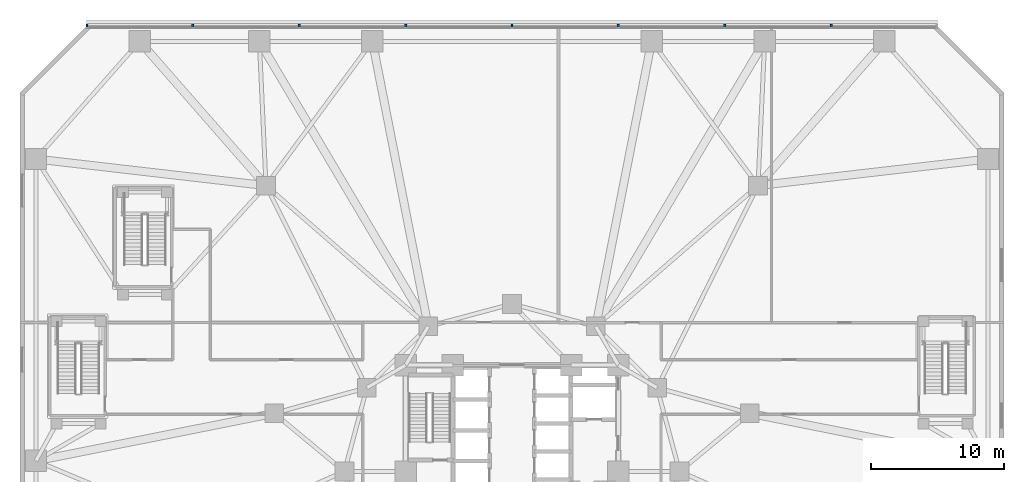
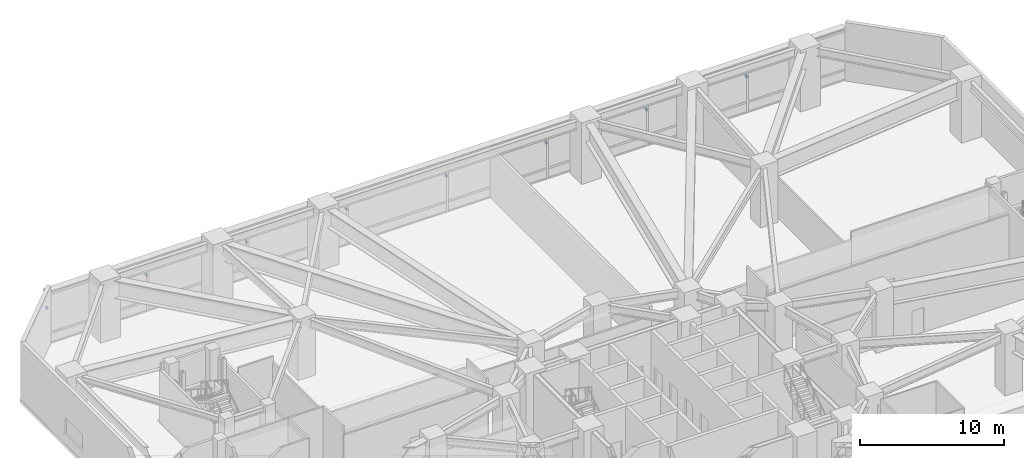
# One storey, part 20 of 27: 8 discrete accessories.
"""IFC4 building model written with IfcOpenShell, lengths in metres."""

from ifc_helpers import new_model, si_unit, direction, frame, origin, origin_2d, place, context, subcontext, project, spatial, rectangle, extrude, material, type_object, element, save


model = new_model("IFC4")

# Units and contexts
model_context = context("Model", 3, precision=1e-05, world=origin(), true_north=direction((0.0, 1.0)))
body_context = subcontext(model_context, "Body", "Model", "MODEL_VIEW")
ifc_project = project(units=[si_unit("LENGTHUNIT", "METRE"), si_unit("AREAUNIT", "SQUARE_METRE"), si_unit("VOLUMEUNIT", "CUBIC_METRE"), si_unit("PLANEANGLEUNIT", "RADIAN"), si_unit("MASSUNIT", "GRAM", prefix="KILO")], contexts=[model_context])

# Site, building, storey
site_placement = place(None, origin())
site = spatial("IfcSite", under=ifc_project, at=site_placement, CompositionType="ELEMENT")
building_placement = place(site_placement, origin())
building = spatial("IfcBuilding", under=site, at=building_placement, Name="Terralouvre Media Tower", CompositionType="ELEMENT")
storey_placement = place(building_placement, frame((0.0, 0.0, 15.60009765625)))
storey = spatial("IfcBuildingStorey", under=building, at=storey_placement, Name="L03", CompositionType="ELEMENT", Elevation=15.60009765625)

# Discrete accessories
ifc_material = material(Name="Anodised extruded aluminium 6063-T6", Category="aluminium")
discrete_accessory_type = type_object("IfcDiscreteAccessoryType", Name="Mullion Stand-Off Baguette Fixing Bracket BK-01", PredefinedType="BRACKET", material=ifc_material)
for number, where, z_axis, x_axis, name in (
    (1, (24.0, 33.52001953125, 2.87451171875), (0.0, 0.0, 1.0), (-1.0, 0.0, 0.0), "CW-L03-F4 Baguette Outrigger Bracket 1.02"),
    (2, (16.0, 33.52001953125, 2.87451171875), (0.0, 0.0, 1.0), (-1.0, 0.0, 0.0), "CW-L03-F4 Baguette Outrigger Bracket 1.03"),
    (3, (8.0, 33.52001953125, 2.87451171875), (0.0, 0.0, 1.0), (-1.0, 0.0, 0.0), "CW-L03-F4 Baguette Outrigger Bracket 1.04"),
    (4, (0.0, 33.52001953125, 2.87451171875), (0.0, 0.0, 1.0), (-1.0, 0.0, 0.0), "CW-L03-F4 Baguette Outrigger Bracket 1.05"),
    (5, (-8.0, 33.52001953125, 2.87451171875), (0.0, 0.0, 1.0), (-1.0, 0.0, 0.0), "CW-L03-F4 Baguette Outrigger Bracket 1.06"),
    (6, (-16.0, 33.52001953125, 2.87451171875), (0.0, 0.0, 1.0), (-1.0, 0.0, 0.0), "CW-L03-F4 Baguette Outrigger Bracket 1.07"),
    (7, (-24.0, 33.52001953125, 2.87451171875), (0.0, 0.0, 1.0), (-1.0, 0.0, 0.0), "CW-L03-F4 Baguette Outrigger Bracket 1.08"),
    (8, (-31.96240234375, 33.52001953125, 2.87451171875), (0.0, 0.0, 1.0), (-1.0, 0.0, 0.0), "CW-L03-F4 Baguette Outrigger Bracket 1.09"),
):
    element("IfcDiscreteAccessory", number, at=place(storey_placement, frame(where, z_axis=z_axis, x_axis=x_axis)), inside=storey, type_object=discrete_accessory_type, Name=name, PredefinedType="BRACKET", context=body_context, shape_type="SweptSolid", body=[
        extrude(rectangle(XDim=0.139892578125, YDim=0.239990234375, at=origin_2d()), origin(), (0.0, 0.0, 1.0), 0.179931640625),
    ])

save(model, "model.ifc")
